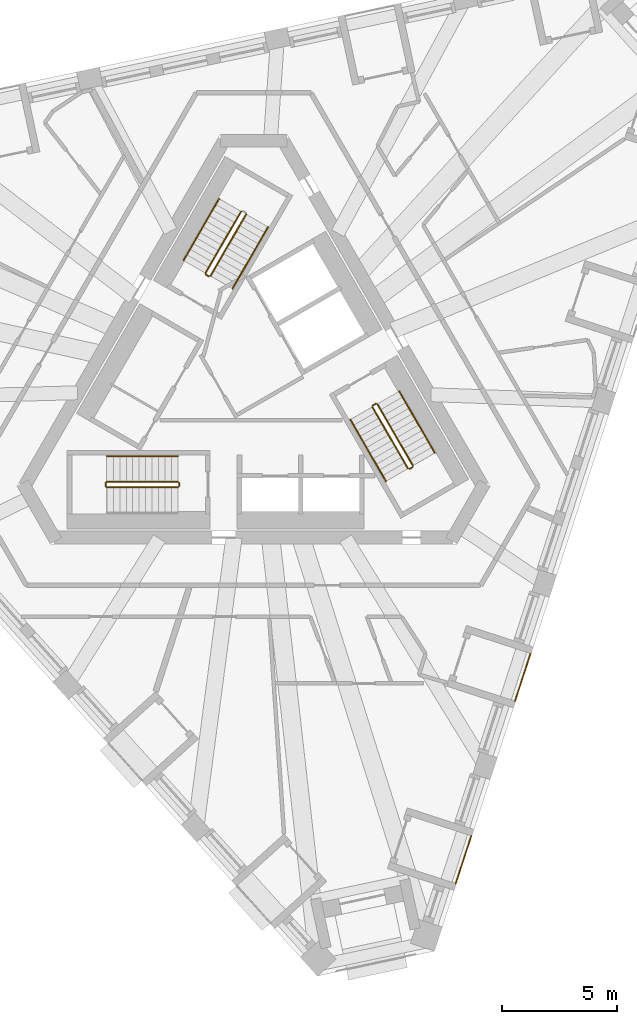
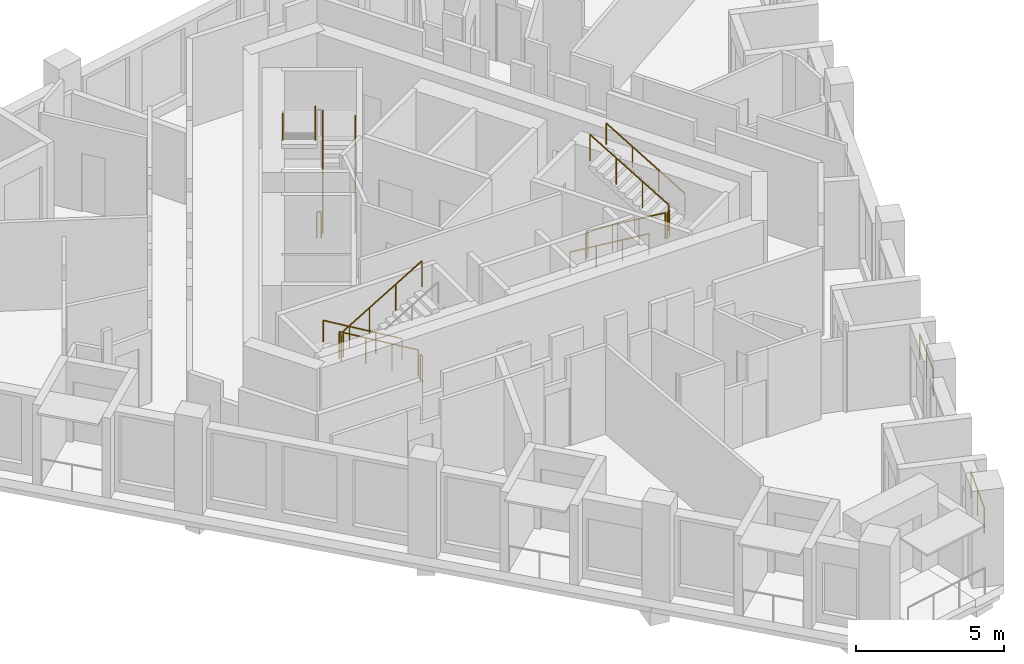
# One storey, part 10 of 12: 18 railings.
"""IFC4 building model written with IfcOpenShell, lengths in metres."""

from ifc_helpers import new_model, si_unit, direction, frame, origin, origin_2d, place, context, subcontext, project, spatial, circle, extrude, material, type_object, element, save


model = new_model("IFC4")

# Units and contexts
model_context = context("Model", 3, precision=1e-05, world=origin(), true_north=direction((0.0, 1.0)))
body_context = subcontext(model_context, "Body", "Model", "MODEL_VIEW")
ifc_project = project(units=[si_unit("LENGTHUNIT", "METRE"), si_unit("AREAUNIT", "SQUARE_METRE"), si_unit("VOLUMEUNIT", "CUBIC_METRE"), si_unit("PLANEANGLEUNIT", "RADIAN"), si_unit("MASSUNIT", "GRAM", prefix="KILO")], contexts=[model_context])

# Site, building, storey
site_placement = place(None, origin())
site = spatial("IfcSite", under=ifc_project, at=site_placement, CompositionType="ELEMENT")
building_placement = place(site_placement, origin())
building = spatial("IfcBuilding", under=site, at=building_placement, Name="Tramontana Tower", CompositionType="ELEMENT")
storey_placement = place(building_placement, frame((0.0, 0.0, 332.39990234375)))
storey = spatial("IfcBuildingStorey", under=building, at=storey_placement, Name="L76", CompositionType="ELEMENT", Elevation=332.39990234375)

# Railings
ifc_material_1 = material(Name="Laminated glass balustrade", Category="glass")
railing_type_1 = type_object("IfcRailingType", Name="GD1 Loggia glass balustrade 1100", PredefinedType="BALUSTRADE", material=ifc_material_1)
for number, where, name in (
    (1, (8.763671875, -21.472412109375, 0.0), "Loggia balustrade L76 G8S1.1"),
    (2, (11.332763671875, -13.5654296875, 0.0), "Loggia balustrade L76 G8S1.4"),
):
    element("IfcRailing", number, at=place(storey_placement, frame(where)), inside=storey, type_object=railing_type_1, Name=name, PredefinedType="BALUSTRADE", context=body_context, shape_type="SweptSolid", body=[
        extrude(circle(Radius=0.02392578125, at=origin_2d()), frame((0.0, 0.0, 1.076171875), z_axis=(0.308999623589, 0.95106216023, 0.0), x_axis=(-0.95106216023, 0.308999623589, 0.0)), (0.0, 0.0, 1.0), 2.171142578125),
        extrude(circle(Radius=0.02099609375, at=origin_2d()), origin(), (0.0, 0.0, 1.0), 1.052001953125),
        extrude(circle(Radius=0.02099609375, at=origin_2d()), frame((0.33544921875, 1.032470703125, 0.0)), (0.0, 0.0, 1.0), 1.052001953125),
        extrude(circle(Radius=0.02099609375, at=origin_2d()), frame((0.6708984375, 2.06494140625, 0.0)), (0.0, 0.0, 1.0), 1.052001953125),
    ])
ifc_material_2 = material(Name="Painted steel", Category="steel")
railing_type_2 = type_object("IfcRailingType", Name="STAIR GUARD 1100", PredefinedType="GUARDRAIL", material=ifc_material_2)
railing_1_placement = place(storey_placement, frame((-1.867431640625, 4.865478515625, 0.166748046875)))
element("IfcRailing", 3, at=railing_1_placement, inside=storey, type_object=railing_type_2, Name="L76 ST1 stair guard 1", PredefinedType="GUARDRAIL", context=body_context, shape_type="SweptSolid", body=[
    extrude(circle(Radius=0.02392578125, at=origin_2d()), frame((0.0, 0.0, 1.076171875), z_axis=(0.429649414936, 0.744189839504, 0.511451721109), x_axis=(-0.866029832698, 0.499992328818, 0.0)), (0.0, 0.0, 1.0), 3.58447265625),
    extrude(circle(Radius=0.02099609375, at=origin_2d()), origin(), (0.0, 0.0, 1.0), 1.052001953125),
    extrude(circle(Radius=0.02099609375, at=origin_2d()), frame((0.513427734375, 0.88916015625, 0.611083984375)), (0.0, 0.0, 1.0), 1.052001953125),
    extrude(circle(Radius=0.02099609375, at=origin_2d()), frame((1.026611328125, 1.7783203125, 1.22216796875)), (0.0, 0.0, 1.0), 1.052001953125),
    extrude(circle(Radius=0.02099609375, at=origin_2d()), frame((1.5400390625, 2.66748046875, 1.833251953125)), (0.0, 0.0, 1.0), 1.052001953125),
])
railing_2_placement = place(storey_placement, frame((-0.5439453125, 7.657958984375, 2.166748046875)))
element("IfcRailing", 4, at=railing_2_placement, inside=storey, type_object=railing_type_2, Name="L76 ST1 stair guard 2", PredefinedType="GUARDRAIL", context=body_context, shape_type="SweptSolid", body=[
    extrude(circle(Radius=0.02392578125, at=origin_2d()), frame((0.0, 0.0, 1.076171875), z_axis=(-0.429649414936, -0.744189839504, 0.511451721109), x_axis=(0.866029832698, -0.499992328818, 0.0)), (0.0, 0.0, 1.0), 3.58447265625),
    extrude(circle(Radius=0.02099609375, at=origin_2d()), origin(), (0.0, 0.0, 1.0), 1.052001953125),
    extrude(circle(Radius=0.02099609375, at=origin_2d()), frame((-0.513427734375, -0.88916015625, 0.611083984375)), (0.0, 0.0, 1.0), 1.052001953125),
    extrude(circle(Radius=0.02099609375, at=origin_2d()), frame((-1.026611328125, -1.7783203125, 1.22216796875)), (0.0, 0.0, 1.0), 1.052001953125),
    extrude(circle(Radius=0.02099609375, at=origin_2d()), frame((-1.5400390625, -2.66748046875, 1.833251953125)), (0.0, 0.0, 1.0), 1.052001953125),
])
railing_3_placement = place(storey_placement, frame((-1.935791015625, 4.84716796875, 0.0)))
element("IfcRailing", 5, at=railing_3_placement, inside=storey, type_object=railing_type_2, Name="L76 ST1 stair guard 4", PredefinedType="GUARDRAIL", context=body_context, shape_type="SweptSolid", body=[
    extrude(circle(Radius=0.02392578125, at=origin_2d()), frame((0.0, 0.0, 1.076171875), z_axis=(-0.865426285481, 0.501036270542, 0.0), x_axis=(-0.501036270542, -0.865426285481, 0.0)), (0.0, 0.0, 1.0), 0.150146484375),
    extrude(circle(Radius=0.02099609375, at=origin_2d()), origin(), (0.0, 0.0, 1.0), 1.052001953125),
    extrude(circle(Radius=0.02099609375, at=origin_2d()), frame((-0.1298828125, 0.0751953125, 0.0)), (0.0, 0.0, 1.0), 1.052001953125),
])
railing_4_placement = place(storey_placement, frame((-3.280029296875, -4.050048828125, 0.166748046875)))
element("IfcRailing", 6, at=railing_4_placement, inside=storey, type_object=railing_type_2, Name="L76 ST2 stair guard 1", PredefinedType="GUARDRAIL", context=body_context, shape_type="SweptSolid", body=[
    extrude(circle(Radius=0.02392578125, at=origin_2d()), frame((0.0, 0.0, 1.076171875), z_axis=(-0.859308565015, 0.0, 0.511457515432), x_axis=(0.0, -1.0, 0.0)), (0.0, 0.0, 1.0), 3.58447265625),
    extrude(circle(Radius=0.02099609375, at=origin_2d()), origin(), (0.0, 0.0, 1.0), 1.052001953125),
    extrude(circle(Radius=0.02099609375, at=origin_2d()), frame((-1.026611328125, 0.0, 0.611083984375)), (0.0, 0.0, 1.0), 1.052001953125),
    extrude(circle(Radius=0.02099609375, at=origin_2d()), frame((-2.053466796875, 0.0, 1.22216796875)), (0.0, 0.0, 1.0), 1.052001953125),
    extrude(circle(Radius=0.02099609375, at=origin_2d()), frame((-3.080078125, 0.0, 1.833251953125)), (0.0, 0.0, 1.0), 1.052001953125),
])
railing_5_placement = place(storey_placement, frame((-6.360107421875, -4.300048828125, 2.166748046875)))
element("IfcRailing", 7, at=railing_5_placement, inside=storey, type_object=railing_type_2, Name="L76 ST2 stair guard 2", PredefinedType="GUARDRAIL", context=body_context, shape_type="SweptSolid", body=[
    extrude(circle(Radius=0.02392578125, at=origin_2d()), frame((0.0, 0.0, 1.076171875), z_axis=(0.859308565015, 0.0, 0.511457515432), x_axis=(0.0, 1.0, 0.0)), (0.0, 0.0, 1.0), 3.58447265625),
    extrude(circle(Radius=0.02099609375, at=origin_2d()), origin(), (0.0, 0.0, 1.0), 1.052001953125),
    extrude(circle(Radius=0.02099609375, at=origin_2d()), frame((1.026611328125, 0.0, 0.611083984375)), (0.0, 0.0, 1.0), 1.052001953125),
    extrude(circle(Radius=0.02099609375, at=origin_2d()), frame((2.053466796875, 0.0, 1.22216796875)), (0.0, 0.0, 1.0), 1.052001953125),
    extrude(circle(Radius=0.02099609375, at=origin_2d()), frame((3.080078125, 0.0, 1.833251953125)), (0.0, 0.0, 1.0), 1.052001953125),
])
for number, where, name in (
    (8, (-6.409912109375, -4.10009765625, 2.0), "L76 ST2 stair guard 3"),
    (9, (-3.22998046875, -4.10009765625, 0.0), "L76 ST2 stair guard 4"),
):
    element("IfcRailing", number, at=place(storey_placement, frame(where)), inside=storey, type_object=railing_type_2, Name=name, PredefinedType="GUARDRAIL", context=body_context, shape_type="SweptSolid", body=[
        extrude(circle(Radius=0.02392578125, at=origin_2d()), frame((0.0, 0.0, 1.076171875), z_axis=(0.0, -1.0, 0.0), x_axis=(1.0, 0.0, 0.0)), (0.0, 0.0, 1.0), 0.14990234375),
        extrude(circle(Radius=0.02099609375, at=origin_2d()), origin(), (0.0, 0.0, 1.0), 1.052001953125),
        extrude(circle(Radius=0.02099609375, at=origin_2d()), frame((0.0, -0.14990234375, 0.0)), (0.0, 0.0, 1.0), 1.052001953125),
    ])
railing_6_placement = place(storey_placement, frame((5.1474609375, -0.815673828125, 0.166748046875)))
element("IfcRailing", 10, at=railing_6_placement, inside=storey, type_object=railing_type_2, Name="L76 ST3 stair guard 1", PredefinedType="GUARDRAIL", context=body_context, shape_type="SweptSolid", body=[
    extrude(circle(Radius=0.02392578125, at=origin_2d()), frame((0.0, 0.0, 1.076171875), z_axis=(0.429671193721, -0.744159446956, 0.511477646425), x_axis=(0.866010015463, 0.500026652407, 0.0)), (0.0, 0.0, 1.0), 3.584228515625),
    extrude(circle(Radius=0.02099609375, at=origin_2d()), origin(), (0.0, 0.0, 1.0), 1.052001953125),
    extrude(circle(Radius=0.02099609375, at=origin_2d()), frame((0.513427734375, -0.88916015625, 0.611083984375)), (0.0, 0.0, 1.0), 1.052001953125),
    extrude(circle(Radius=0.02099609375, at=origin_2d()), frame((1.026611328125, -1.778076171875, 1.22216796875)), (0.0, 0.0, 1.0), 1.052001953125),
    extrude(circle(Radius=0.02099609375, at=origin_2d()), frame((1.5400390625, -2.667236328125, 1.833251953125)), (0.0, 0.0, 1.0), 1.052001953125),
])
railing_7_placement = place(storey_placement, frame((6.90380859375, -3.35791015625, 2.166748046875)))
element("IfcRailing", 11, at=railing_7_placement, inside=storey, type_object=railing_type_2, Name="L76 ST3 stair guard 2", PredefinedType="GUARDRAIL", context=body_context, shape_type="SweptSolid", body=[
    extrude(circle(Radius=0.02392578125, at=origin_2d()), frame((0.0, 0.0, 1.076171875), z_axis=(-0.429615651263, 0.74418122563, 0.511492615401), x_axis=(-0.866044340336, -0.499967199496, 0.0)), (0.0, 0.0, 1.0), 3.584228515625),
    extrude(circle(Radius=0.02099609375, at=origin_2d()), origin(), (0.0, 0.0, 1.0), 1.052001953125),
    extrude(circle(Radius=0.02099609375, at=origin_2d()), frame((-0.51318359375, 0.88916015625, 0.611083984375)), (0.0, 0.0, 1.0), 1.052001953125),
    extrude(circle(Radius=0.02099609375, at=origin_2d()), frame((-1.026611328125, 1.778076171875, 1.22216796875)), (0.0, 0.0, 1.0), 1.052001953125),
    extrude(circle(Radius=0.02099609375, at=origin_2d()), frame((-1.539794921875, 2.667236328125, 1.833251953125)), (0.0, 0.0, 1.0), 1.052001953125),
])
for number, where, name in (
    (12, (6.755615234375, -3.501220703125, 2.0), "L76 ST3 stair guard 3"),
    (13, (5.165771484375, -0.747314453125, 0.0), "L76 ST3 stair guard 4"),
):
    element("IfcRailing", number, at=place(storey_placement, frame(where)), inside=storey, type_object=railing_type_2, Name=name, PredefinedType="GUARDRAIL", context=body_context, shape_type="SweptSolid", body=[
        extrude(circle(Radius=0.02392578125, at=origin_2d()), frame((0.0, 0.0, 1.076171875), z_axis=(0.866131372301, 0.499816412211, 0.0), x_axis=(-0.499816412211, 0.866131372301, 0.0)), (0.0, 0.0, 1.0), 0.14990234375),
        extrude(circle(Radius=0.02099609375, at=origin_2d()), origin(), (0.0, 0.0, 1.0), 1.052001953125),
        extrude(circle(Radius=0.02099609375, at=origin_2d()), frame((0.1298828125, 0.074951171875, 0.0)), (0.0, 0.0, 1.0), 1.052001953125),
    ])
ifc_material_3 = material(Name="Painted steel", Category="steel")
railing_type_3 = type_object("IfcRailingType", Name="STAIR HANDRAIL 900", PredefinedType="HANDRAIL", material=ifc_material_3)
railing_8_placement = place(storey_placement, frame((-0.914794921875, 4.315673828125, 0.166748046875)))
element("IfcRailing", 14, at=railing_8_placement, inside=storey, type_object=railing_type_3, Name="L76 ST1 stair handrail 1", PredefinedType="HANDRAIL", context=body_context, shape_type="SweptSolid", body=[
    extrude(circle(Radius=0.02392578125, at=origin_2d()), frame((0.0, 0.0, 0.8759765625), z_axis=(0.429671193721, 0.744159446956, 0.511477646425), x_axis=(-0.866010015463, 0.500026652407, 0.0)), (0.0, 0.0, 1.0), 3.584228515625),
    extrude(circle(Radius=0.02099609375, at=origin_2d()), origin(), (0.0, 0.0, 1.0), 0.851806640625),
    extrude(circle(Radius=0.02099609375, at=origin_2d()), frame((0.513427734375, 0.88916015625, 0.611083984375)), (0.0, 0.0, 1.0), 0.851806640625),
    extrude(circle(Radius=0.02099609375, at=origin_2d()), frame((1.026611328125, 1.778076171875, 1.22216796875)), (0.0, 0.0, 1.0), 0.851806640625),
    extrude(circle(Radius=0.02099609375, at=origin_2d()), frame((1.5400390625, 2.667236328125, 1.833251953125)), (0.0, 0.0, 1.0), 0.851806640625),
])
railing_9_placement = place(storey_placement, frame((-1.49658203125, 8.2080078125, 2.166748046875)))
element("IfcRailing", 15, at=railing_9_placement, inside=storey, type_object=railing_type_3, Name="L76 ST1 stair handrail 2", PredefinedType="HANDRAIL", context=body_context, shape_type="SweptSolid", body=[
    extrude(circle(Radius=0.02392578125, at=origin_2d()), frame((0.0, 0.0, 0.8759765625), z_axis=(-0.429649414936, -0.744189839504, 0.511451721109), x_axis=(0.866029832698, -0.499992328818, 0.0)), (0.0, 0.0, 1.0), 3.58447265625),
    extrude(circle(Radius=0.02099609375, at=origin_2d()), origin(), (0.0, 0.0, 1.0), 0.851806640625),
    extrude(circle(Radius=0.02099609375, at=origin_2d()), frame((-0.513427734375, -0.88916015625, 0.611083984375)), (0.0, 0.0, 1.0), 0.851806640625),
    extrude(circle(Radius=0.02099609375, at=origin_2d()), frame((-1.026611328125, -1.7783203125, 1.22216796875)), (0.0, 0.0, 1.0), 0.851806640625),
    extrude(circle(Radius=0.02099609375, at=origin_2d()), frame((-1.5400390625, -2.66748046875, 1.833251953125)), (0.0, 0.0, 1.0), 0.851806640625),
])
railing_10_placement = place(storey_placement, frame((-3.280029296875, -2.949951171875, 0.166748046875)))
element("IfcRailing", 16, at=railing_10_placement, inside=storey, type_object=railing_type_3, Name="L76 ST2 stair handrail 1", PredefinedType="HANDRAIL", context=body_context, shape_type="SweptSolid", body=[
    extrude(circle(Radius=0.02392578125, at=origin_2d()), frame((0.0, 0.0, 0.8759765625), z_axis=(-0.859308565015, 0.0, 0.511457515432), x_axis=(0.0, -1.0, 0.0)), (0.0, 0.0, 1.0), 3.58447265625),
    extrude(circle(Radius=0.02099609375, at=origin_2d()), origin(), (0.0, 0.0, 1.0), 0.851806640625),
    extrude(circle(Radius=0.02099609375, at=origin_2d()), frame((-1.026611328125, 0.0, 0.611083984375)), (0.0, 0.0, 1.0), 0.851806640625),
    extrude(circle(Radius=0.02099609375, at=origin_2d()), frame((-2.053466796875, 0.0, 1.22216796875)), (0.0, 0.0, 1.0), 0.851806640625),
    extrude(circle(Radius=0.02099609375, at=origin_2d()), frame((-3.080078125, 0.0, 1.833251953125)), (0.0, 0.0, 1.0), 0.851806640625),
])
railing_11_placement = place(storey_placement, frame((4.19482421875, -1.365478515625, 0.166748046875)))
element("IfcRailing", 17, at=railing_11_placement, inside=storey, type_object=railing_type_3, Name="L76 ST3 stair handrail 1", PredefinedType="HANDRAIL", context=body_context, shape_type="SweptSolid", body=[
    extrude(circle(Radius=0.02392578125, at=origin_2d()), frame((0.0, 0.0, 0.8759765625), z_axis=(0.429649414936, -0.744189839504, 0.511451721109), x_axis=(0.866029832698, 0.499992328818, 0.0)), (0.0, 0.0, 1.0), 3.58447265625),
    extrude(circle(Radius=0.02099609375, at=origin_2d()), origin(), (0.0, 0.0, 1.0), 0.851806640625),
    extrude(circle(Radius=0.02099609375, at=origin_2d()), frame((0.513427734375, -0.88916015625, 0.611083984375)), (0.0, 0.0, 1.0), 0.851806640625),
    extrude(circle(Radius=0.02099609375, at=origin_2d()), frame((1.026611328125, -1.7783203125, 1.22216796875)), (0.0, 0.0, 1.0), 0.851806640625),
    extrude(circle(Radius=0.02099609375, at=origin_2d()), frame((1.5400390625, -2.66748046875, 1.833251953125)), (0.0, 0.0, 1.0), 0.851806640625),
])
railing_12_placement = place(storey_placement, frame((7.8564453125, -2.807861328125, 2.166748046875)))
element("IfcRailing", 18, at=railing_12_placement, inside=storey, type_object=railing_type_3, Name="L76 ST3 stair handrail 2", PredefinedType="HANDRAIL", context=body_context, shape_type="SweptSolid", body=[
    extrude(circle(Radius=0.02392578125, at=origin_2d()), frame((0.0, 0.0, 0.8759765625), z_axis=(-0.429615651263, 0.74418122563, 0.511492615401), x_axis=(-0.866044340336, -0.499967199496, 0.0)), (0.0, 0.0, 1.0), 3.584228515625),
    extrude(circle(Radius=0.02099609375, at=origin_2d()), origin(), (0.0, 0.0, 1.0), 0.851806640625),
    extrude(circle(Radius=0.02099609375, at=origin_2d()), frame((-0.51318359375, 0.88916015625, 0.611083984375)), (0.0, 0.0, 1.0), 0.851806640625),
    extrude(circle(Radius=0.02099609375, at=origin_2d()), frame((-1.026611328125, 1.778076171875, 1.22216796875)), (0.0, 0.0, 1.0), 0.851806640625),
    extrude(circle(Radius=0.02099609375, at=origin_2d()), frame((-1.539794921875, 2.667236328125, 1.833251953125)), (0.0, 0.0, 1.0), 0.851806640625),
])

save(model, "model.ifc")
